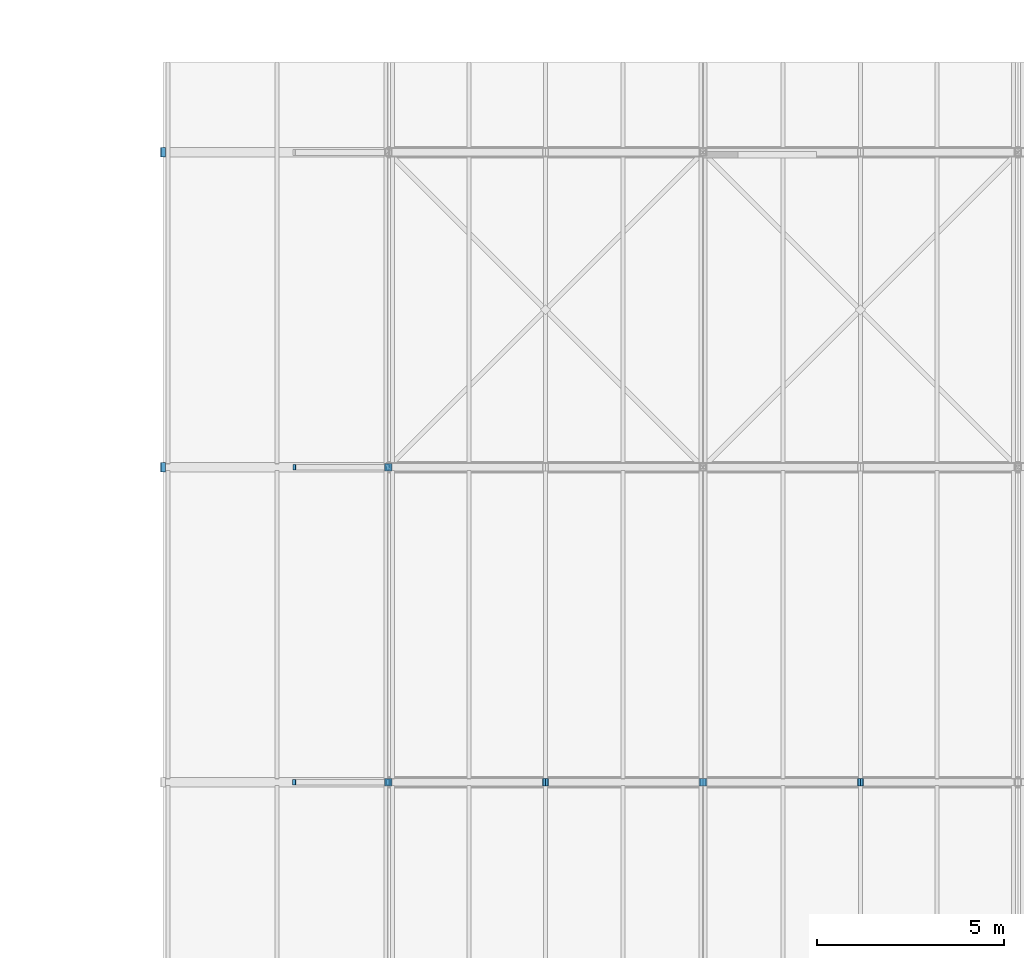
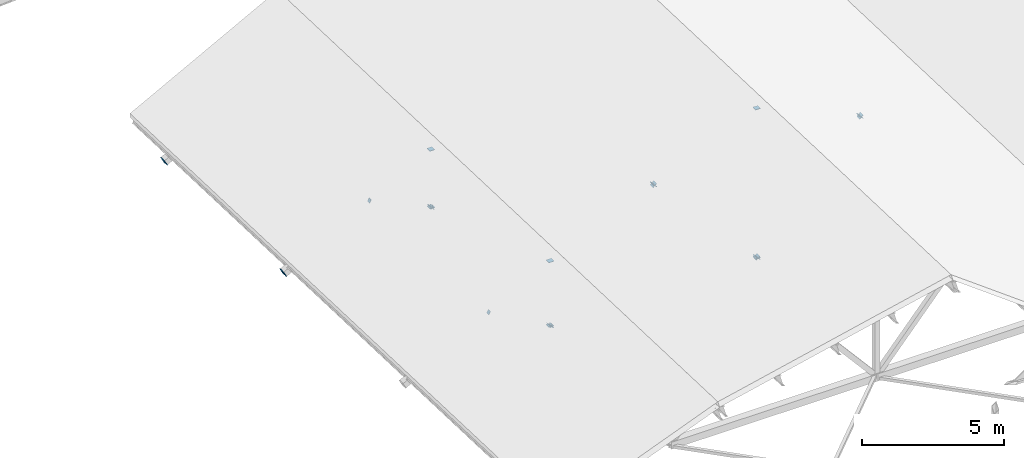
# One storey, part 46 of 76: 20 discrete accessories.
"""IFC4 building model written with IfcOpenShell, lengths in metres."""

from ifc_helpers import new_model, si_unit, direction, frame, origin, origin_2d, place, context, subcontext, project, spatial, rectangle, extrude, material, element, save


model = new_model("IFC4")

# Units and contexts
model_context = context("Model", 3, precision=1e-05, world=origin(), true_north=direction((0.0, 1.0)))
body_context = subcontext(model_context, "Body", "Model", "MODEL_VIEW")
ifc_project = project(units=[si_unit("LENGTHUNIT", "METRE"), si_unit("AREAUNIT", "SQUARE_METRE"), si_unit("VOLUMEUNIT", "CUBIC_METRE"), si_unit("PLANEANGLEUNIT", "RADIAN"), si_unit("MASSUNIT", "GRAM", prefix="KILO")], contexts=[model_context])

# Site, building, storey
site_placement = place(None, origin())
site = spatial("IfcSite", under=ifc_project, at=site_placement, CompositionType="ELEMENT")
building_placement = place(site_placement, origin())
building = spatial("IfcBuilding", under=site, at=building_placement, Name="Hlaing Beacon Police Headquarters", CompositionType="ELEMENT")
storey_placement = place(building_placement, frame((0.0, 0.0, 18.89990234375)))
storey = spatial("IfcBuildingStorey", under=building, at=storey_placement, Name="L04", CompositionType="ELEMENT", Elevation=18.89990234375)

# Discrete accessories
ifc_material = material(Name="Steel ASTM A572 Grade 50", Category="steel")
for number, where, z_axis, x_axis, name in (
    (1, (58.800048828125, 50.39990234375, -4.33740234375), (0.0, 0.0, -1.0), (1.0, 0.0, 0.0), "Gusset plate GP-293"),
    (2, (58.800048828125, 50.39990234375, -1.579345703125), (0.0, 0.0, 1.0), (1.0, 0.0, 0.0), "Gusset plate GP-294"),
    (3, (67.199951171875, 50.39990234375, -4.33740234375), (0.0, 0.0, -1.0), (1.0, 0.0, 0.0), "Gusset plate GP-295"),
    (4, (67.199951171875, 50.39990234375, 2.04443359375), (0.0, 0.0, 1.0), (1.0, 0.0, 0.0), "Gusset plate GP-296"),
):
    element("IfcDiscreteAccessory", number, at=place(storey_placement, frame(where, z_axis=z_axis, x_axis=x_axis)), inside=storey, material=ifc_material, Name=name, PredefinedType="BRACKET", context=body_context, shape_type="SweptSolid", body=[
        extrude(rectangle(XDim=0.203125, YDim=0.203125, at=origin_2d()), origin(), (0.0, 0.0, 1.0), 0.02001953125),
    ])
for number, where, z_axis, x_axis, name in (
    (5, (58.805419921875, 50.39990234375, -4.341552734375), (-0.675077544232, 0.0, -0.737746778559), (0.0, -1.0, 0.0), "Gusset plate GP-303"),
    (6, (62.99462890625, 50.39990234375, 0.236572265625), (0.675077544232, 0.0, 0.737746778559), (0.0, 1.0, 0.0), "Gusset plate GP-304"),
    (7, (63.00537109375, 50.39990234375, 0.236572265625), (-0.675077544232, 0.0, 0.737746778559), (0.0, -1.0, 0.0), "Gusset plate GP-305"),
    (8, (67.194580078125, 50.39990234375, -4.341552734375), (0.675077544232, 0.0, -0.737746778559), (0.0, 1.0, 0.0), "Gusset plate GP-306"),
    (9, (67.205322265625, 50.39990234375, -4.341552734375), (-0.675077544232, 0.0, -0.737746778559), (0.0, -1.0, 0.0), "Gusset plate GP-307"),
    (10, (71.39453125, 50.39990234375, 0.236572265625), (0.675077544232, 0.0, 0.737746778559), (0.0, 1.0, 0.0), "Gusset plate GP-308"),
    (11, (71.4052734375, 50.39990234375, 0.236572265625), (-0.675098901557, 0.0, 0.737727234903), (0.0, -1.0, 0.0), "Gusset plate GP-309"),
):
    element("IfcDiscreteAccessory", number, at=place(storey_placement, frame(where, z_axis=z_axis, x_axis=x_axis)), inside=storey, material=ifc_material, Name=name, PredefinedType="BRACKET", context=body_context, shape_type="SweptSolid", body=[
        extrude(rectangle(XDim=0.203125, YDim=0.203125, at=origin_2d()), origin(), (0.0, 0.0, 1.0), 0.01611328125),
    ])
for number, where, z_axis, x_axis, name in (
    (12, (58.793212890625, 50.39990234375, -4.343505859375), (0.866540389944, 0.0, -0.499106955067), (0.0, 1.0, 0.0), "Gusset plate GP-319"),
    (13, (56.306884765625, 50.39990234375, -2.911376953125), (-0.866540389944, 0.0, 0.499106955067), (0.0, -1.0, 0.0), "Gusset plate GP-320"),
):
    element("IfcDiscreteAccessory", number, at=place(storey_placement, frame(where, z_axis=z_axis, x_axis=x_axis)), inside=storey, material=ifc_material, Name=name, PredefinedType="BRACKET", context=body_context, shape_type="SweptSolid", body=[
        extrude(rectangle(XDim=0.15234375, YDim=0.15234375, at=origin_2d()), origin(), (0.0, 0.0, 1.0), 0.01611328125),
    ])
for number, where, z_axis, x_axis, name in (
    (14, (58.800048828125, 58.800048828125, -4.33740234375), (0.0, 0.0, -1.0), (1.0, 0.0, 0.0), "Gusset plate GP-323"),
    (15, (58.800048828125, 58.800048828125, -1.87939453125), (0.0, 0.0, 1.0), (1.0, 0.0, 0.0), "Gusset plate GP-324"),
):
    element("IfcDiscreteAccessory", number, at=place(storey_placement, frame(where, z_axis=z_axis, x_axis=x_axis)), inside=storey, material=ifc_material, Name=name, PredefinedType="BRACKET", context=body_context, shape_type="SweptSolid", body=[
        extrude(rectangle(XDim=0.203125, YDim=0.203125, at=origin_2d()), origin(), (0.0, 0.0, 1.0), 0.02001953125),
    ])
discrete_accessory_placement = place(storey_placement, frame((58.8056640625, 58.800048828125, -4.341796875), z_axis=(-0.699584566608, 0.0, -0.714549812234), x_axis=(0.0, -1.0, 0.0)))
element("IfcDiscreteAccessory", 16, at=discrete_accessory_placement, inside=storey, material=ifc_material, Name="Gusset plate GP-333", PredefinedType="BRACKET", context=body_context, shape_type="SweptSolid", body=[
    extrude(rectangle(XDim=0.203125, YDim=0.203125, at=origin_2d()), origin(), (0.0, 0.0, 1.0), 0.01611328125),
])
for number, where, z_axis, x_axis, name in (
    (17, (58.792724609375, 58.800048828125, -4.343994140625), (0.909882017807, 0.0, -0.414867103627), (0.0, 1.0, 0.0), "Gusset plate GP-349"),
    (18, (56.307373046875, 58.800048828125, -3.2109375), (-0.909882017807, 0.0, 0.414867103627), (0.0, -1.0, 0.0), "Gusset plate GP-350"),
):
    element("IfcDiscreteAccessory", number, at=place(storey_placement, frame(where, z_axis=z_axis, x_axis=x_axis)), inside=storey, material=ifc_material, Name=name, PredefinedType="BRACKET", context=body_context, shape_type="SweptSolid", body=[
        extrude(rectangle(XDim=0.15234375, YDim=0.15234375, at=origin_2d()), origin(), (0.0, 0.0, 1.0), 0.01611328125),
    ])
for number, where, z_axis, x_axis, name in (
    (19, (52.808837890625, 58.800048828125, -5.076171875), (-0.881654838355, 0.0, -0.471894846343), (0.0, -1.0, 0.0), "Chord end plate CE-006"),
    (20, (52.808837890625, 67.199951171875, -5.376220703125), (-0.881639912586, 0.0, -0.47192273153), (0.0, -1.0, 0.0), "Chord end plate CE-008"),
):
    element("IfcDiscreteAccessory", number, at=place(storey_placement, frame(where, z_axis=z_axis, x_axis=x_axis)), inside=storey, material=ifc_material, Name=name, PredefinedType="BRACKET", context=body_context, shape_type="SweptSolid", body=[
        extrude(rectangle(XDim=0.25390625, YDim=0.25390625, at=origin_2d()), origin(), (0.0, 0.0, 1.0), 0.02001953125),
    ])

save(model, "model.ifc")
